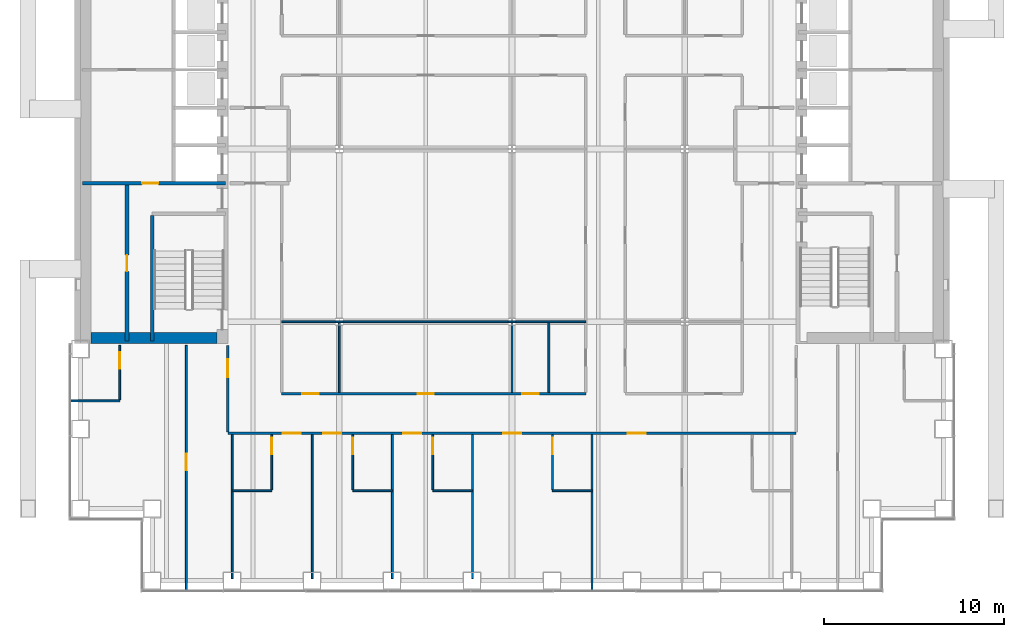
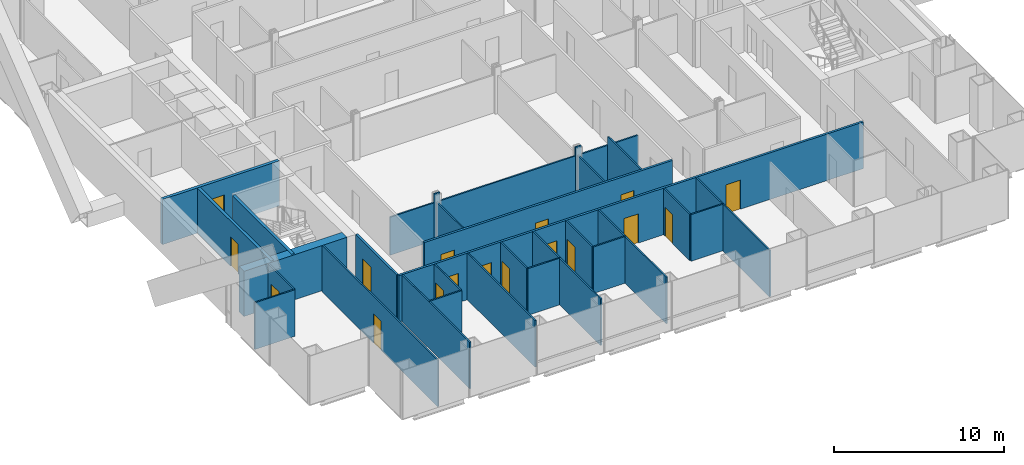
# One storey, part 16 of 23: 31 walls, 17 doors, 17 openings.
"""IFC4 building model written with IfcOpenShell, lengths in metres."""

import ifcopenshell
import ifcopenshell.guid

model = None  # the IFC model being written
_history = None  # IfcOwnerHistory: only IFC2X3 demands one
_inside = {}  # id of a spatial element -> (the spatial element, [elements in it])
_under = {}  # id of a project, library or spatial element -> (it, [spatial elements below it])
_declared = {}  # id of a project -> (the project, [libraries it declares])
_typed = {}  # id of a type object -> (the type object, [elements of that type])
_made_of = {}  # id of a material, layer set ... -> (it, [elements and type objects made of it])


def new_model(schema):
    """Start an empty IFC model of exactly this schema.

    Asked for "IFC4X3", IfcOpenShell would pick the latest addendum, in which some entities
    have other attributes; the version numbers below select the first issue.
    IFC2X3 requires an IfcOwnerHistory on every rooted entity: one is made here for all.
    """
    global model, _history
    if schema == "IFC4X3":
        model = ifcopenshell.file(schema_version=(4, 3, 0, 0))
    else:
        model = ifcopenshell.file(schema=schema)
    _inside.clear()
    _under.clear()
    _declared.clear()
    _typed.clear()
    _made_of.clear()
    _history = None
    if model.schema == "IFC2X3":
        org = make("IfcOrganization", Name="unknown")
        user = make(
            "IfcPersonAndOrganization",
            ThePerson=make("IfcPerson", FamilyName="unknown"),
            TheOrganization=org,
        )
        app = make(
            "IfcApplication",
            ApplicationDeveloper=org,
            Version="unknown",
            ApplicationFullName="unknown",
            ApplicationIdentifier="unknown",
        )
        _history = make(
            "IfcOwnerHistory",
            OwningUser=user,
            OwningApplication=app,
            ChangeAction="ADDED",
            CreationDate=0,
        )
    return model


def make(cls, **values):
    """One entity of the class cls with the attributes given. An attribute that is None is left unset."""
    return model.create_entity(
        cls, **{name: value for name, value in values.items() if value is not None}
    )


def rooted(cls, **values):
    """An entity with a GlobalId (a new one), such as an element, a storey or a relation."""
    return make(cls, GlobalId=ifcopenshell.guid.new(), OwnerHistory=_history, **values)


def si_unit(unit_type, name, prefix=None):
    """IfcSIUnit, for example si_unit("LENGTHUNIT", "METRE", prefix="MILLI")."""
    return make("IfcSIUnit", UnitType=unit_type, Prefix=prefix, Name=name)


def assignment(units):
    """IfcUnitAssignment: the units of a project."""
    return None if units is None else make("IfcUnitAssignment", Units=units)


def point(xyz):
    """IfcCartesianPoint."""
    return None if xyz is None else make("IfcCartesianPoint", Coordinates=xyz)


def direction(xyz):
    """IfcDirection."""
    return None if xyz is None else make("IfcDirection", DirectionRatios=xyz)


def frame(location, z_axis=None, x_axis=None):
    """IfcAxis2Placement3D, a coordinate frame: its origin and axes. An axis left out is left unset."""
    return make(
        "IfcAxis2Placement3D",
        Location=point(location),
        Axis=direction(z_axis),
        RefDirection=direction(x_axis),
    )


def frame_2d(location, x_axis=None):
    """IfcAxis2Placement2D, a coordinate frame in the plane: its origin and x axis."""
    return make(
        "IfcAxis2Placement2D", Location=point(location), RefDirection=direction(x_axis)
    )


def origin():
    """The frame at (0, 0, 0) with its axes left unset."""
    return frame((0.0, 0.0, 0.0))


def place(relative_to, where):
    """IfcLocalPlacement: puts the frame where relative to a parent placement (None: the world)."""
    return make(
        "IfcLocalPlacement", PlacementRelTo=relative_to, RelativePlacement=where
    )


def context(
    kind, dimensions, precision=None, world=None, true_north=None, identifier=None
):
    """IfcGeometricRepresentationContext, for example the 3D "Model" context."""
    return make(
        "IfcGeometricRepresentationContext",
        ContextIdentifier=identifier,
        ContextType=kind,
        CoordinateSpaceDimension=dimensions,
        Precision=precision,
        WorldCoordinateSystem=world,
        TrueNorth=true_north,
    )


def subcontext(parent, identifier, kind, view, scale=None):
    """IfcGeometricRepresentationSubContext, for example "Body" below "Model"."""
    return make(
        "IfcGeometricRepresentationSubContext",
        ContextIdentifier=identifier,
        ContextType=kind,
        ParentContext=parent,
        TargetScale=scale,
        TargetView=view,
    )


def project(units=None, contexts=None):
    """IfcProject with its units and contexts."""
    return rooted(
        "IfcProject",
        Name="project",
        RepresentationContexts=contexts,
        UnitsInContext=assignment(units),
    )


def spatial(cls, under=None, at=None, **own):
    """A site, building, storey or space (cls), placed at a placement, below another one or the project."""
    s = rooted(cls, ObjectPlacement=at, **own)
    if under is not None:
        _under.setdefault(under.id(), (under, []))[1].append(s)
    return s


def profile(cls, at=None, kind="AREA", **sizes):
    """A parametric profile (cls). Its sizes go by their IFC names, for example OverallWidth=200.0."""
    return make(cls, ProfileType=kind, Position=at, **sizes)


def rectangle(**sizes):
    """IfcRectangleProfileDef."""
    return profile("IfcRectangleProfileDef", **sizes)


def extrude(swept, where, along, depth):
    """IfcExtrudedAreaSolid: the profile swept, set in the frame where, extruded along a direction by depth."""
    return make(
        "IfcExtrudedAreaSolid",
        SweptArea=swept,
        Position=where,
        ExtrudedDirection=direction(along),
        Depth=depth,
    )


def shape(context_of_items, identifier, shape_type, items):
    """IfcShapeRepresentation: the items that make up one representation, for example the "Body"."""
    return make(
        "IfcShapeRepresentation",
        ContextOfItems=context_of_items,
        RepresentationIdentifier=identifier,
        RepresentationType=shape_type,
        Items=items,
    )


def material(Name=None, Category=None):
    """IfcMaterial."""
    return make("IfcMaterial", Name=Name, Category=Category)


def layer(
    of_material, thickness, ventilated=None, Name=None, Category=None, Priority=None
):
    """IfcMaterialLayer: one layer of a wall or slab, of a material (None: an air gap)."""
    return make(
        "IfcMaterialLayer",
        Material=of_material,
        LayerThickness=thickness,
        IsVentilated=ventilated,
        Name=Name,
        Category=Category,
        Priority=Priority,
    )


def layer_set(layers, Name=None):
    """IfcMaterialLayerSet."""
    return make("IfcMaterialLayerSet", MaterialLayers=layers, LayerSetName=Name)


def made_of(thing, what):
    """Note that an element or type object is made of a material, layer set ...; save() writes the relation."""
    if what is not None:
        _made_of.setdefault(what.id(), (what, []))[1].append(thing)
    return thing


def type_object(cls, material=None, **own):
    """A type object (cls), such as IfcWallType, which elements share."""
    return made_of(rooted(cls, **own), material)


def element(
    cls,
    number,
    at=None,
    inside=None,
    cuts=None,
    type_object=None,
    material=None,
    context=None,
    identifier="Body",
    shape_type=None,
    held_by="IfcProductDefinitionShape",
    body=None,
    shapes=None,
    **own,
):
    """One element of the class cls, such as IfcWall. Its Tag is "e" and its number.

    at: its placement. inside: the storey or other place that contains it. cuts: it is an
    opening in that element (IfcRelVoidsElement). A single representation is given by context,
    identifier, shape_type and body (its items); several are given by shapes. held_by: the class
    of the entity that holds the representations. save() writes the other relations.
    """
    e = rooted(cls, Tag="e%d" % number, ObjectPlacement=at, **own)
    if body is not None:
        shapes = [shape(context, identifier, shape_type, body)]
    if shapes is not None:
        e.Representation = make(held_by, Representations=shapes)
    if inside is not None:
        _inside.setdefault(inside.id(), (inside, []))[1].append(e)
    if cuts is not None:
        rooted(
            "IfcRelVoidsElement", RelatingBuildingElement=cuts, RelatedOpeningElement=e
        )
    if type_object is not None:
        _typed.setdefault(type_object.id(), (type_object, []))[1].append(e)
    return made_of(e, material)


def fill(opening, filler):
    """IfcRelFillsElement: the door or window that sits in an opening."""
    return rooted(
        "IfcRelFillsElement",
        RelatingOpeningElement=opening,
        RelatedBuildingElement=filler,
    )


def aggregate(whole, parts):
    """IfcRelAggregates: a whole, such as a stair, and the parts it consists of."""
    return rooted("IfcRelAggregates", RelatingObject=whole, RelatedObjects=parts)


def save(model, path):
    """Write the relations noted so far, then the file.

    IfcRelAggregates (storeys below a building ...), IfcRelContainedInSpatialStructure (elements
    in a storey), IfcRelDefinesByType, IfcRelAssociatesMaterial and IfcRelDeclares: one each for
    every whole, place, type object, material and project.
    """
    for whole, parts in _under.values():
        aggregate(whole, parts)
    for where, things in _inside.values():
        rooted(
            "IfcRelContainedInSpatialStructure",
            RelatedElements=things,
            RelatingStructure=where,
        )
    for kind, things in _typed.values():
        rooted("IfcRelDefinesByType", RelatedObjects=things, RelatingType=kind)
    for what, things in _made_of.values():
        rooted("IfcRelAssociatesMaterial", RelatedObjects=things, RelatingMaterial=what)
    for by, libraries in _declared.values():
        rooted("IfcRelDeclares", RelatingContext=by, RelatedDefinitions=libraries)
    model.write(path)


model = new_model("IFC4")

# Units and contexts
model_context = context("Model", 3, precision=1e-05, world=origin(), true_north=direction((0.0, 1.0)))
body_context = subcontext(model_context, "Body", "Model", "MODEL_VIEW")
ifc_project = project(units=[si_unit("LENGTHUNIT", "METRE"), si_unit("AREAUNIT", "SQUARE_METRE"), si_unit("VOLUMEUNIT", "CUBIC_METRE"), si_unit("PLANEANGLEUNIT", "RADIAN"), si_unit("MASSUNIT", "GRAM", prefix="KILO")], contexts=[model_context])

# Site, building, storey
site_placement = place(None, origin())
site = spatial("IfcSite", under=ifc_project, at=site_placement, CompositionType="ELEMENT")
building_placement = place(site_placement, origin())
building = spatial("IfcBuilding", under=site, at=building_placement, Name="Cobrizo Arcos Hotel Tower", CompositionType="ELEMENT")
storey_placement = place(building_placement, frame((0.0, 0.0, 56.5)))
storey = spatial("IfcBuildingStorey", under=building, at=storey_placement, Name="L12", CompositionType="ELEMENT", Elevation=56.5)

# Wall, openings, doors
ifc_material_1 = material(Name="Gypsum board partition")
ifc_layer_1 = layer(ifc_material_1, 0.14990234375)
ifc_layer_set_1 = layer_set([ifc_layer_1], Name="Corridor wall EI 60 150")
wall_type_1 = type_object("IfcWallType", Name="Corridor wall EI 60 150", PredefinedType="PARTITIONING", material=ifc_layer_set_1)
wall_1_placement = place(storey_placement, frame((-15.800048828125, -15.800048828125, 0.0), z_axis=(0.0, 0.0, 1.0), x_axis=(1.0, 0.0, 0.0)))
wall_1 = element("IfcWall", 1, at=wall_1_placement, inside=storey, type_object=wall_type_1, Name="Partition 006", PredefinedType="PARTITIONING", context=body_context, shape_type="SweptSolid", body=[
    extrude(rectangle(XDim=31.60009765625, YDim=0.14990234375, at=frame_2d((15.800048828125, 0.0))), origin(), (0.0, 0.0, 1.0), 3.35009765625),
])
opening_1_placement = place(wall_1_placement, frame((3.06689453125, 0.0, 0.0)))
opening_1 = element("IfcOpeningElement", 2, at=opening_1_placement, cuts=wall_1, Name="Opening GD-07", PredefinedType="OPENING", context=body_context, shape_type="SweptSolid", body=[
    extrude(rectangle(XDim=1.0, YDim=2.10009765625, at=frame_2d((0.5, 1.050048828125))), frame((0.0, 0.0869140625, 0.0), z_axis=(0.0, -1.0, 0.0), x_axis=(1.0, 0.0, 0.0)), (0.0, 0.0, 1.0), 0.173828125),
])
opening_2_placement = place(wall_1_placement, frame((5.31103515625, 0.0, 0.0)))
opening_2 = element("IfcOpeningElement", 3, at=opening_2_placement, cuts=wall_1, Name="Opening GD-08", PredefinedType="OPENING", context=body_context, shape_type="SweptSolid", body=[
    extrude(rectangle(XDim=1.0, YDim=2.10009765625, at=frame_2d((0.5, 1.050048828125))), frame((0.0, 0.0869140625, 0.0), z_axis=(0.0, -1.0, 0.0), x_axis=(1.0, 0.0, 0.0)), (0.0, 0.0, 1.0), 0.173828125),
])
opening_3_placement = place(wall_1_placement, frame((9.756103515625, 0.0, 0.0)))
opening_3 = element("IfcOpeningElement", 4, at=opening_3_placement, cuts=wall_1, Name="Opening GD-09", PredefinedType="OPENING", context=body_context, shape_type="SweptSolid", body=[
    extrude(rectangle(XDim=1.0, YDim=2.10009765625, at=frame_2d((0.5, 1.050048828125))), frame((0.0, 0.0869140625, 0.0), z_axis=(0.0, -1.0, 0.0), x_axis=(1.0, 0.0, 0.0)), (0.0, 0.0, 1.0), 0.173828125),
])
opening_4_placement = place(wall_1_placement, frame((15.31103515625, 0.0, 0.0)))
opening_4 = element("IfcOpeningElement", 5, at=opening_4_placement, cuts=wall_1, Name="Opening GD-10", PredefinedType="OPENING", context=body_context, shape_type="SweptSolid", body=[
    extrude(rectangle(XDim=1.0, YDim=2.10009765625, at=frame_2d((0.5, 1.050048828125))), frame((0.0, 0.0869140625, 0.0), z_axis=(0.0, -1.0, 0.0), x_axis=(1.0, 0.0, 0.0)), (0.0, 0.0, 1.0), 0.173828125),
])
opening_5_placement = place(wall_1_placement, frame((22.2451171875, 0.0, 0.0)))
opening_5 = element("IfcOpeningElement", 6, at=opening_5_placement, cuts=wall_1, Name="Opening GD-11", PredefinedType="OPENING", context=body_context, shape_type="SweptSolid", body=[
    extrude(rectangle(XDim=1.0, YDim=2.10009765625, at=frame_2d((0.5, 1.050048828125))), frame((0.0, 0.0869140625, 0.0), z_axis=(0.0, -1.0, 0.0), x_axis=(1.0, 0.0, 0.0)), (0.0, 0.0, 1.0), 0.173828125),
])
ifc_material_2 = material(Name="Timber door leaf", Category="wood")
door_type_1 = type_object("IfcDoorType", Name="Guest room door FD30S 1000x2100", OperationType="SINGLE_SWING_LEFT", PredefinedType="DOOR", material=ifc_material_2)
door_1_placement = place(opening_1_placement, origin())
door_1 = element("IfcDoor", 7, at=door_1_placement, inside=storey, type_object=door_type_1, Name="Door GD-07", OperationType="SINGLE_SWING_LEFT", OverallHeight=2.10009765625, OverallWidth=1.0, PredefinedType="DOOR", context=body_context, shape_type="SweptSolid", body=[
    extrude(rectangle(XDim=1.0, YDim=2.10009765625, at=frame_2d((0.5, 1.050048828125))), frame((0.0, 0.02490234375, 0.0), z_axis=(0.0, -1.0, 0.0), x_axis=(1.0, 0.0, 0.0)), (0.0, 0.0, 1.0), 0.050048828125),
])
fill(opening_1, door_1)
door_2_placement = place(opening_2_placement, origin())
door_2 = element("IfcDoor", 8, at=door_2_placement, inside=storey, type_object=door_type_1, Name="Door GD-08", OperationType="SINGLE_SWING_LEFT", OverallHeight=2.10009765625, OverallWidth=1.0, PredefinedType="DOOR", context=body_context, shape_type="SweptSolid", body=[
    extrude(rectangle(XDim=1.0, YDim=2.10009765625, at=frame_2d((0.5, 1.050048828125))), frame((0.0, 0.02490234375, 0.0), z_axis=(0.0, -1.0, 0.0), x_axis=(1.0, 0.0, 0.0)), (0.0, 0.0, 1.0), 0.050048828125),
])
fill(opening_2, door_2)
door_3_placement = place(opening_3_placement, origin())
door_3 = element("IfcDoor", 9, at=door_3_placement, inside=storey, type_object=door_type_1, Name="Door GD-09", OperationType="SINGLE_SWING_LEFT", OverallHeight=2.10009765625, OverallWidth=1.0, PredefinedType="DOOR", context=body_context, shape_type="SweptSolid", body=[
    extrude(rectangle(XDim=1.0, YDim=2.10009765625, at=frame_2d((0.5, 1.050048828125))), frame((0.0, 0.02490234375, 0.0), z_axis=(0.0, -1.0, 0.0), x_axis=(1.0, 0.0, 0.0)), (0.0, 0.0, 1.0), 0.050048828125),
])
fill(opening_3, door_3)
door_4_placement = place(opening_4_placement, origin())
door_4 = element("IfcDoor", 10, at=door_4_placement, inside=storey, type_object=door_type_1, Name="Door GD-10", OperationType="SINGLE_SWING_RIGHT", OverallHeight=2.10009765625, OverallWidth=1.0, PredefinedType="DOOR", context=body_context, shape_type="SweptSolid", body=[
    extrude(rectangle(XDim=1.0, YDim=2.10009765625, at=frame_2d((0.5, 1.050048828125))), frame((0.0, 0.02490234375, 0.0), z_axis=(0.0, -1.0, 0.0), x_axis=(1.0, 0.0, 0.0)), (0.0, 0.0, 1.0), 0.050048828125),
])
fill(opening_4, door_4)
door_5_placement = place(opening_5_placement, origin())
door_5 = element("IfcDoor", 11, at=door_5_placement, inside=storey, type_object=door_type_1, Name="Door GD-11", OperationType="SINGLE_SWING_LEFT", OverallHeight=2.10009765625, OverallWidth=1.0, PredefinedType="DOOR", context=body_context, shape_type="SweptSolid", body=[
    extrude(rectangle(XDim=1.0, YDim=2.10009765625, at=frame_2d((0.5, 1.050048828125))), frame((0.0, 0.02490234375, 0.0), z_axis=(0.0, -1.0, 0.0), x_axis=(1.0, 0.0, 0.0)), (0.0, 0.0, 1.0), 0.050048828125),
])
fill(opening_5, door_5)

wall_2_placement = place(storey_placement, frame((-12.800048828125, -13.60009765625, 0.0), z_axis=(0.0, 0.0, 1.0), x_axis=(1.0, 0.0, 0.0)))
wall_2 = element("IfcWall", 12, at=wall_2_placement, inside=storey, type_object=wall_type_1, Name="Partition 009", PredefinedType="PARTITIONING", context=body_context, shape_type="SweptSolid", body=[
    extrude(rectangle(XDim=16.900146484375, YDim=0.14990234375, at=frame_2d((8.4501953125, 0.0))), origin(), (0.0, 0.0, 1.0), 3.35009765625),
])
opening_6_placement = place(wall_2_placement, frame((1.14990234375, 0.0, 0.0)))
opening_6 = element("IfcOpeningElement", 13, at=opening_6_placement, cuts=wall_2, Name="Opening RD-16", PredefinedType="OPENING", context=body_context, shape_type="SweptSolid", body=[
    extrude(rectangle(XDim=0.89990234375, YDim=2.10009765625, at=frame_2d((0.449951171875, 1.050048828125))), frame((0.0, 0.0869140625, 0.0), z_axis=(0.0, -1.0, 0.0), x_axis=(1.0, 0.0, 0.0)), (0.0, 0.0, 1.0), 0.173828125),
])
opening_7_placement = place(wall_2_placement, frame((13.375, 0.0, 0.0)))
opening_7 = element("IfcOpeningElement", 14, at=opening_7_placement, cuts=wall_2, Name="Opening ED-16", PredefinedType="OPENING", context=body_context, shape_type="SweptSolid", body=[
    extrude(rectangle(XDim=0.89990234375, YDim=2.10009765625, at=frame_2d((0.449951171875, 1.050048828125))), frame((0.0, 0.0869140625, 0.0), z_axis=(0.0, -1.0, 0.0), x_axis=(1.0, 0.0, 0.0)), (0.0, 0.0, 1.0), 0.173828125),
])
opening_8_placement = place(wall_2_placement, frame((7.550048828125, 0.0, 0.0)))
opening_8 = element("IfcOpeningElement", 15, at=opening_8_placement, cuts=wall_2, Name="Opening RD-28", PredefinedType="OPENING", context=body_context, shape_type="SweptSolid", body=[
    extrude(rectangle(XDim=0.89990234375, YDim=2.10009765625, at=frame_2d((0.449951171875, 1.050048828125))), frame((0.0, 0.0869140625, 0.0), z_axis=(0.0, -1.0, 0.0), x_axis=(1.0, 0.0, 0.0)), (0.0, 0.0, 1.0), 0.173828125),
])
door_type_2 = type_object("IfcDoorType", Name="En-suite door 900x2100", OperationType="SINGLE_SWING_LEFT", PredefinedType="DOOR", material=ifc_material_2)
door_6_placement = place(opening_7_placement, origin())
door_6 = element("IfcDoor", 16, at=door_6_placement, inside=storey, type_object=door_type_2, Name="Door ED-16", OperationType="SINGLE_SWING_LEFT", OverallHeight=2.10009765625, OverallWidth=0.89990234375, PredefinedType="DOOR", context=body_context, shape_type="SweptSolid", body=[
    extrude(rectangle(XDim=0.89990234375, YDim=2.10009765625, at=frame_2d((0.449951171875, 1.050048828125))), frame((0.0, 0.02490234375, 0.0), z_axis=(0.0, -1.0, 0.0), x_axis=(1.0, 0.0, 0.0)), (0.0, 0.0, 1.0), 0.050048828125),
])
fill(opening_7, door_6)
door_type_3 = type_object("IfcDoorType", Name="Room door FD30 900x2100", OperationType="SINGLE_SWING_LEFT", PredefinedType="DOOR", material=ifc_material_2)
door_7_placement = place(opening_6_placement, origin())
door_7 = element("IfcDoor", 17, at=door_7_placement, inside=storey, type_object=door_type_3, Name="Door RD-16", OperationType="SINGLE_SWING_RIGHT", OverallHeight=2.10009765625, OverallWidth=0.89990234375, PredefinedType="DOOR", context=body_context, shape_type="SweptSolid", body=[
    extrude(rectangle(XDim=0.89990234375, YDim=2.10009765625, at=frame_2d((0.449951171875, 1.050048828125))), frame((0.0, 0.02490234375, 0.0), z_axis=(0.0, -1.0, 0.0), x_axis=(1.0, 0.0, 0.0)), (0.0, 0.0, 1.0), 0.050048828125),
])
fill(opening_6, door_7)
door_8_placement = place(opening_8_placement, origin())
door_8 = element("IfcDoor", 18, at=door_8_placement, inside=storey, type_object=door_type_3, Name="Door RD-28", OperationType="SINGLE_SWING_LEFT", OverallHeight=2.10009765625, OverallWidth=0.89990234375, PredefinedType="DOOR", context=body_context, shape_type="SweptSolid", body=[
    extrude(rectangle(XDim=0.89990234375, YDim=2.10009765625, at=frame_2d((0.449951171875, 1.050048828125))), frame((0.0, 0.02490234375, 0.0), z_axis=(0.0, -1.0, 0.0), x_axis=(1.0, 0.0, 0.0)), (0.0, 0.0, 1.0), 0.050048828125),
])
fill(opening_8, door_8)

# Wall, opening, door
wall_3_placement = place(storey_placement, frame((-15.800048828125, -15.72509765625, 0.0), z_axis=(0.0, 0.0, 1.0), x_axis=(0.0, 1.0, 0.0)))
wall_3 = element("IfcWall", 19, at=wall_3_placement, inside=storey, type_object=wall_type_1, Name="Partition 072", PredefinedType="PARTITIONING", context=body_context, shape_type="SweptSolid", body=[
    extrude(rectangle(XDim=4.80517578125, YDim=0.14990234375, at=frame_2d((2.402587890625, 0.0))), origin(), (0.0, 0.0, 1.0), 3.35009765625),
])
opening_9_placement = place(wall_3_placement, frame((3.02490234375, 0.0, 0.0)))
opening_9 = element("IfcOpeningElement", 20, at=opening_9_placement, cuts=wall_3, Name="Opening GD-12", PredefinedType="OPENING", context=body_context, shape_type="SweptSolid", body=[
    extrude(rectangle(XDim=1.0, YDim=2.10009765625, at=frame_2d((0.5, 1.050048828125))), frame((0.0, 0.0869140625, 0.0), z_axis=(0.0, -1.0, 0.0), x_axis=(1.0, 0.0, 0.0)), (0.0, 0.0, 1.0), 0.173828125),
])
door_9_placement = place(opening_9_placement, origin())
door_9 = element("IfcDoor", 21, at=door_9_placement, inside=storey, type_object=door_type_1, Name="Door GD-12", OperationType="SINGLE_SWING_LEFT", OverallHeight=2.10009765625, OverallWidth=1.0, PredefinedType="DOOR", context=body_context, shape_type="SweptSolid", body=[
    extrude(rectangle(XDim=1.0, YDim=2.10009765625, at=frame_2d((0.5, 1.050048828125))), frame((0.0, 0.02490234375, 0.0), z_axis=(0.0, -1.0, 0.0), x_axis=(1.0, 0.0, 0.0)), (0.0, 0.0, 1.0), 0.050048828125),
])
fill(opening_9, door_9)

# Walls
ifc_layer_2 = layer(ifc_material_1, 0.10009765625)
ifc_layer_set_2 = layer_set([ifc_layer_2], Name="Partition EI 30 100")
wall_type_2 = type_object("IfcWallType", Name="Partition EI 30 100", PredefinedType="PARTITIONING", material=ifc_layer_set_2)
wall_4_placement = place(storey_placement, frame((-15.550048828125, -19.0, 0.0), z_axis=(0.0, 0.0, 1.0), x_axis=(1.0, 0.0, 0.0)))
element("IfcWall", 22, at=wall_4_placement, inside=storey, type_object=wall_type_2, Name="Partition 001", PredefinedType="PARTITIONING", context=body_context, shape_type="SweptSolid", body=[
    extrude(rectangle(XDim=2.199951171875, YDim=0.10009765625, at=frame_2d((1.10009765625, 0.0))), origin(), (0.0, 0.0, 1.0), 3.35009765625),
])
wall_5_placement = place(storey_placement, frame((-8.85009765625, -19.0, 0.0), z_axis=(0.0, 0.0, 1.0), x_axis=(1.0, 0.0, 0.0)))
element("IfcWall", 23, at=wall_5_placement, inside=storey, type_object=wall_type_2, Name="Partition 002", PredefinedType="PARTITIONING", context=body_context, shape_type="SweptSolid", body=[
    extrude(rectangle(XDim=2.2001953125, YDim=0.10009765625, at=frame_2d((1.10009765625, 0.0))), origin(), (0.0, 0.0, 1.0), 3.35009765625),
])
for number, where, z_axis, x_axis, name in (
    (24, (-4.39990234375, -19.0, 0.0), (0.0, 0.0, 1.0), (1.0, 0.0, 0.0), "Partition 003"),
    (25, (2.25, -19.0, 0.0), (0.0, 0.0, 1.0), (1.0, 0.0, 0.0), "Partition 004"),
):
    element("IfcWall", number, at=place(storey_placement, frame(where, z_axis=z_axis, x_axis=x_axis)), inside=storey, type_object=wall_type_2, Name=name, PredefinedType="PARTITIONING", context=body_context, shape_type="SweptSolid", body=[
        extrude(rectangle(XDim=2.199951171875, YDim=0.10009765625, at=frame_2d((1.10009765625, 0.0))), origin(), (0.0, 0.0, 1.0), 3.35009765625),
    ])
wall_6_placement = place(storey_placement, frame((-24.530029296875, -14.0, 0.0), z_axis=(0.0, 0.0, 1.0), x_axis=(1.0, 0.0, 0.0)))
element("IfcWall", 26, at=wall_6_placement, inside=storey, type_object=wall_type_2, Name="Partition 007", PredefinedType="PARTITIONING", context=body_context, shape_type="SweptSolid", body=[
    extrude(rectangle(XDim=2.72998046875, YDim=0.10009765625, at=frame_2d((1.364990234375, 0.0))), origin(), (0.0, 0.0, 1.0), 3.35009765625),
])
wall_7_placement = place(storey_placement, frame((-12.800048828125, -9.60009765625, 0.0), z_axis=(0.0, 0.0, 1.0), x_axis=(1.0, 0.0, 0.0)))
element("IfcWall", 27, at=wall_7_placement, inside=storey, type_object=wall_type_2, Name="Partition 011", PredefinedType="PARTITIONING", context=body_context, shape_type="SweptSolid", body=[
    extrude(rectangle(XDim=2.99609375, YDim=0.10009765625, at=frame_2d((1.498046875, 0.0))), origin(), (0.0, 0.0, 1.0), 2.72802734375),
])
wall_8_placement = place(storey_placement, frame((-9.803955078125, -9.60009765625, 0.0), z_axis=(0.0, 0.0, 1.0), x_axis=(1.0, 0.0, 0.0)))
element("IfcWall", 28, at=wall_8_placement, inside=storey, type_object=wall_type_2, Name="Partition 012", PredefinedType="PARTITIONING", context=body_context, shape_type="SweptSolid", body=[
    extrude(rectangle(XDim=0.407958984375, YDim=0.10009765625, at=frame_2d((0.2041015625, 0.0))), origin(), (0.0, 0.0, 1.0), 3.35009765625),
])
wall_9_placement = place(storey_placement, frame((-9.39599609375, -9.60009765625, 0.0), z_axis=(0.0, 0.0, 1.0), x_axis=(1.0, 0.0, 0.0)))
element("IfcWall", 29, at=wall_9_placement, inside=storey, type_object=wall_type_2, Name="Partition 013", PredefinedType="PARTITIONING", context=body_context, shape_type="SweptSolid", body=[
    extrude(rectangle(XDim=9.19189453125, YDim=0.10009765625, at=frame_2d((4.595947265625, 0.0))), origin(), (0.0, 0.0, 1.0), 2.72802734375),
])
wall_10_placement = place(storey_placement, frame((-0.2041015625, -9.60009765625, 0.0), z_axis=(0.0, 0.0, 1.0), x_axis=(1.0, 0.0, 0.0)))
element("IfcWall", 30, at=wall_10_placement, inside=storey, type_object=wall_type_2, Name="Partition 014", PredefinedType="PARTITIONING", context=body_context, shape_type="SweptSolid", body=[
    extrude(rectangle(XDim=0.408203125, YDim=0.10009765625, at=frame_2d((0.2041015625, 0.0))), origin(), (0.0, 0.0, 1.0), 3.35009765625),
])
wall_11_placement = place(storey_placement, frame((0.2041015625, -9.60009765625, 0.0), z_axis=(0.0, 0.0, 1.0), x_axis=(1.0, 0.0, 0.0)))
element("IfcWall", 31, at=wall_11_placement, inside=storey, type_object=wall_type_2, Name="Partition 015", PredefinedType="PARTITIONING", context=body_context, shape_type="SweptSolid", body=[
    extrude(rectangle(XDim=3.89599609375, YDim=0.10009765625, at=frame_2d((1.947998046875, 0.0))), origin(), (0.0, 0.0, 1.0), 2.72802734375),
])

# Wall, opening, door
wall_12_placement = place(storey_placement, frame((-21.800048828125, -13.949951171875, 0.0), z_axis=(0.0, 0.0, 1.0), x_axis=(0.0, 1.0, 0.0)))
wall_12 = element("IfcWall", 32, at=wall_12_placement, inside=storey, type_object=wall_type_2, Name="Partition 064", PredefinedType="PARTITIONING", context=body_context, shape_type="SweptSolid", body=[
    extrude(rectangle(XDim=3.030029296875, YDim=0.10009765625, at=frame_2d((1.51513671875, 0.0))), origin(), (0.0, 0.0, 1.0), 3.35009765625),
])
opening_10_placement = place(wall_12_placement, frame((1.739990234375, 0.0, 0.0)))
opening_10 = element("IfcOpeningElement", 33, at=opening_10_placement, cuts=wall_12, Name="Opening ED-12", PredefinedType="OPENING", context=body_context, shape_type="SweptSolid", body=[
    extrude(rectangle(XDim=0.89990234375, YDim=2.10009765625, at=frame_2d((0.449951171875, 1.050048828125))), frame((0.0, 0.06201171875, 0.0), z_axis=(0.0, -1.0, 0.0), x_axis=(1.0, 0.0, 0.0)), (0.0, 0.0, 1.0), 0.1240234375),
])
door_10_placement = place(opening_10_placement, origin())
door_10 = element("IfcDoor", 34, at=door_10_placement, inside=storey, type_object=door_type_2, Name="Door ED-12", OperationType="SINGLE_SWING_LEFT", OverallHeight=2.10009765625, OverallWidth=0.89990234375, PredefinedType="DOOR", context=body_context, shape_type="SweptSolid", body=[
    extrude(rectangle(XDim=0.89990234375, YDim=2.10009765625, at=frame_2d((0.449951171875, 1.050048828125))), frame((0.0, 0.02490234375, 0.0), z_axis=(0.0, -1.0, 0.0), x_axis=(1.0, 0.0, 0.0)), (0.0, 0.0, 1.0), 0.050048828125),
])
fill(opening_10, door_10)

wall_13_placement = place(storey_placement, frame((-18.10009765625, -24.530029296875, 0.0), z_axis=(0.0, 0.0, 1.0), x_axis=(0.0, 1.0, 0.0)))
wall_13 = element("IfcWall", 35, at=wall_13_placement, inside=storey, type_object=wall_type_2, Name="Partition 071", PredefinedType="PARTITIONING", context=body_context, shape_type="SweptSolid", body=[
    extrude(rectangle(XDim=13.610107421875, YDim=0.10009765625, at=frame_2d((6.80517578125, 0.0))), origin(), (0.0, 0.0, 1.0), 3.35009765625),
])
opening_11_placement = place(wall_13_placement, frame((6.679931640625, 0.0, 0.0)))
opening_11 = element("IfcOpeningElement", 36, at=opening_11_placement, cuts=wall_13, Name="Opening RD-08", PredefinedType="OPENING", context=body_context, shape_type="SweptSolid", body=[
    extrude(rectangle(XDim=0.89990234375, YDim=2.10009765625, at=frame_2d((0.449951171875, 1.050048828125))), frame((0.0, 0.06201171875, 0.0), z_axis=(0.0, -1.0, 0.0), x_axis=(1.0, 0.0, 0.0)), (0.0, 0.0, 1.0), 0.1240234375),
])
door_11_placement = place(opening_11_placement, origin())
door_11 = element("IfcDoor", 37, at=door_11_placement, inside=storey, type_object=door_type_3, Name="Door RD-08", OperationType="SINGLE_SWING_RIGHT", OverallHeight=2.10009765625, OverallWidth=0.89990234375, PredefinedType="DOOR", context=body_context, shape_type="SweptSolid", body=[
    extrude(rectangle(XDim=0.89990234375, YDim=2.10009765625, at=frame_2d((0.449951171875, 1.050048828125))), frame((0.0, 0.02490234375, 0.0), z_axis=(0.0, -1.0, 0.0), x_axis=(1.0, 0.0, 0.0)), (0.0, 0.0, 1.0), 0.050048828125),
])
fill(opening_11, door_11)

# Wall
wall_14_placement = place(storey_placement, frame((-15.550048828125, -23.8798828125, 0.0), z_axis=(0.0, 0.0, 1.0), x_axis=(0.0, 1.0, 0.0)))
element("IfcWall", 38, at=wall_14_placement, inside=storey, type_object=wall_type_2, Name="Partition 074", PredefinedType="PARTITIONING", context=body_context, shape_type="SweptSolid", body=[
    extrude(rectangle(XDim=8.0048828125, YDim=0.10009765625, at=frame_2d((4.00244140625, 0.0))), origin(), (0.0, 0.0, 1.0), 3.35009765625),
])

# Wall, opening, door
wall_15_placement = place(storey_placement, frame((-13.35009765625, -18.949951171875, 0.0), z_axis=(0.0, 0.0, 1.0), x_axis=(0.0, 1.0, 0.0)))
wall_15 = element("IfcWall", 39, at=wall_15_placement, inside=storey, type_object=wall_type_2, Name="Partition 076", PredefinedType="PARTITIONING", context=body_context, shape_type="SweptSolid", body=[
    extrude(rectangle(XDim=3.074951171875, YDim=0.10009765625, at=frame_2d((1.53759765625, 0.0))), origin(), (0.0, 0.0, 1.0), 3.35009765625),
])
opening_12_placement = place(wall_15_placement, frame((1.99609375, 0.0, 0.0)))
opening_12 = element("IfcOpeningElement", 40, at=opening_12_placement, cuts=wall_15, Name="Opening ED-07", PredefinedType="OPENING", context=body_context, shape_type="SweptSolid", body=[
    extrude(rectangle(XDim=0.89990234375, YDim=2.10009765625, at=frame_2d((0.449951171875, 1.050048828125))), frame((0.0, 0.06201171875, 0.0), z_axis=(0.0, -1.0, 0.0), x_axis=(1.0, 0.0, 0.0)), (0.0, 0.0, 1.0), 0.1240234375),
])
door_12_placement = place(opening_12_placement, origin())
door_12 = element("IfcDoor", 41, at=door_12_placement, inside=storey, type_object=door_type_2, Name="Door ED-07", OperationType="SINGLE_SWING_LEFT", OverallHeight=2.10009765625, OverallWidth=0.89990234375, PredefinedType="DOOR", context=body_context, shape_type="SweptSolid", body=[
    extrude(rectangle(XDim=0.89990234375, YDim=2.10009765625, at=frame_2d((0.449951171875, 1.050048828125))), frame((0.0, 0.02490234375, 0.0), z_axis=(0.0, -1.0, 0.0), x_axis=(1.0, 0.0, 0.0)), (0.0, 0.0, 1.0), 0.050048828125),
])
fill(opening_12, door_12)

# Walls
wall_16_placement = place(storey_placement, frame((-11.10009765625, -23.8798828125, 0.0), z_axis=(0.0, 0.0, 1.0), x_axis=(0.0, 1.0, 0.0)))
element("IfcWall", 42, at=wall_16_placement, inside=storey, type_object=wall_type_2, Name="Partition 083", PredefinedType="PARTITIONING", context=body_context, shape_type="SweptSolid", body=[
    extrude(rectangle(XDim=8.0048828125, YDim=0.10009765625, at=frame_2d((4.00244140625, 0.0))), origin(), (0.0, 0.0, 1.0), 3.35009765625),
])
wall_17_placement = place(storey_placement, frame((-9.60009765625, -13.52490234375, 0.0), z_axis=(0.0, 0.0, 1.0), x_axis=(0.0, 1.0, 0.0)))
element("IfcWall", 43, at=wall_17_placement, inside=storey, type_object=wall_type_2, Name="Partition 084", PredefinedType="PARTITIONING", context=body_context, shape_type="SweptSolid", body=[
    extrude(rectangle(XDim=3.875, YDim=0.10009765625, at=frame_2d((1.9375, 0.0))), origin(), (0.0, 0.0, 1.0), 2.72802734375),
])

# Wall, opening, door
wall_18_placement = place(storey_placement, frame((-8.85009765625, -18.949951171875, 0.0), z_axis=(0.0, 0.0, 1.0), x_axis=(0.0, 1.0, 0.0)))
wall_18 = element("IfcWall", 44, at=wall_18_placement, inside=storey, type_object=wall_type_2, Name="Partition 089", PredefinedType="PARTITIONING", context=body_context, shape_type="SweptSolid", body=[
    extrude(rectangle(XDim=3.074951171875, YDim=0.10009765625, at=frame_2d((1.53759765625, 0.0))), origin(), (0.0, 0.0, 1.0), 3.35009765625),
])
opening_13_placement = place(wall_18_placement, frame((1.99609375, 0.0, 0.0)))
opening_13 = element("IfcOpeningElement", 45, at=opening_13_placement, cuts=wall_18, Name="Opening ED-08", PredefinedType="OPENING", context=body_context, shape_type="SweptSolid", body=[
    extrude(rectangle(XDim=0.89990234375, YDim=2.10009765625, at=frame_2d((0.449951171875, 1.050048828125))), frame((0.0, 0.06201171875, 0.0), z_axis=(0.0, -1.0, 0.0), x_axis=(1.0, 0.0, 0.0)), (0.0, 0.0, 1.0), 0.1240234375),
])
door_13_placement = place(opening_13_placement, origin())
door_13 = element("IfcDoor", 46, at=door_13_placement, inside=storey, type_object=door_type_2, Name="Door ED-08", OperationType="SINGLE_SWING_LEFT", OverallHeight=2.10009765625, OverallWidth=0.89990234375, PredefinedType="DOOR", context=body_context, shape_type="SweptSolid", body=[
    extrude(rectangle(XDim=0.89990234375, YDim=2.10009765625, at=frame_2d((0.449951171875, 1.050048828125))), frame((0.0, 0.02490234375, 0.0), z_axis=(0.0, -1.0, 0.0), x_axis=(1.0, 0.0, 0.0)), (0.0, 0.0, 1.0), 0.050048828125),
])
fill(opening_13, door_13)

# Wall
wall_19_placement = place(storey_placement, frame((-6.64990234375, -23.8798828125, 0.0), z_axis=(0.0, 0.0, 1.0), x_axis=(0.0, 1.0, 0.0)))
element("IfcWall", 47, at=wall_19_placement, inside=storey, type_object=wall_type_2, Name="Partition 091", PredefinedType="PARTITIONING", context=body_context, shape_type="SweptSolid", body=[
    extrude(rectangle(XDim=8.0048828125, YDim=0.10009765625, at=frame_2d((4.00244140625, 0.0))), origin(), (0.0, 0.0, 1.0), 3.35009765625),
])

# Wall, opening, door
wall_20_placement = place(storey_placement, frame((-4.39990234375, -18.949951171875, 0.0), z_axis=(0.0, 0.0, 1.0), x_axis=(0.0, 1.0, 0.0)))
wall_20 = element("IfcWall", 48, at=wall_20_placement, inside=storey, type_object=wall_type_2, Name="Partition 093", PredefinedType="PARTITIONING", context=body_context, shape_type="SweptSolid", body=[
    extrude(rectangle(XDim=3.074951171875, YDim=0.10009765625, at=frame_2d((1.53759765625, 0.0))), origin(), (0.0, 0.0, 1.0), 3.35009765625),
])
opening_14_placement = place(wall_20_placement, frame((1.99609375, 0.0, 0.0)))
opening_14 = element("IfcOpeningElement", 49, at=opening_14_placement, cuts=wall_20, Name="Opening ED-09", PredefinedType="OPENING", context=body_context, shape_type="SweptSolid", body=[
    extrude(rectangle(XDim=0.89990234375, YDim=2.10009765625, at=frame_2d((0.449951171875, 1.050048828125))), frame((0.0, 0.06201171875, 0.0), z_axis=(0.0, -1.0, 0.0), x_axis=(1.0, 0.0, 0.0)), (0.0, 0.0, 1.0), 0.1240234375),
])
door_14_placement = place(opening_14_placement, origin())
door_14 = element("IfcDoor", 50, at=door_14_placement, inside=storey, type_object=door_type_2, Name="Door ED-09", OperationType="SINGLE_SWING_RIGHT", OverallHeight=2.10009765625, OverallWidth=0.89990234375, PredefinedType="DOOR", context=body_context, shape_type="SweptSolid", body=[
    extrude(rectangle(XDim=0.89990234375, YDim=2.10009765625, at=frame_2d((0.449951171875, 1.050048828125))), frame((0.0, 0.02490234375, 0.0), z_axis=(0.0, -1.0, 0.0), x_axis=(1.0, 0.0, 0.0)), (0.0, 0.0, 1.0), 0.050048828125),
])
fill(opening_14, door_14)

# Walls
wall_21_placement = place(storey_placement, frame((-2.199951171875, -23.8798828125, 0.0), z_axis=(0.0, 0.0, 1.0), x_axis=(0.0, 1.0, 0.0)))
element("IfcWall", 51, at=wall_21_placement, inside=storey, type_object=wall_type_2, Name="Partition 095", PredefinedType="PARTITIONING", context=body_context, shape_type="SweptSolid", body=[
    extrude(rectangle(XDim=8.0048828125, YDim=0.10009765625, at=frame_2d((4.00244140625, 0.0))), origin(), (0.0, 0.0, 1.0), 3.35009765625),
])
wall_22_placement = place(storey_placement, frame((0.0, -13.52490234375, 0.0), z_axis=(0.0, 0.0, 1.0), x_axis=(0.0, 1.0, 0.0)))
element("IfcWall", 52, at=wall_22_placement, inside=storey, type_object=wall_type_2, Name="Partition 096", PredefinedType="PARTITIONING", context=body_context, shape_type="SweptSolid", body=[
    extrude(rectangle(XDim=3.875, YDim=0.10009765625, at=frame_2d((1.9375, 0.0))), origin(), (0.0, 0.0, 1.0), 2.72802734375),
])
wall_23_placement = place(storey_placement, frame((2.050048828125, -13.52490234375, 0.0), z_axis=(0.0, 0.0, 1.0), x_axis=(0.0, 1.0, 0.0)))
element("IfcWall", 53, at=wall_23_placement, inside=storey, type_object=wall_type_2, Name="Partition 102", PredefinedType="PARTITIONING", context=body_context, shape_type="SweptSolid", body=[
    extrude(rectangle(XDim=3.875, YDim=0.10009765625, at=frame_2d((1.9375, 0.0))), origin(), (0.0, 0.0, 1.0), 3.35009765625),
])

# Wall, opening, door
wall_24_placement = place(storey_placement, frame((2.25, -18.949951171875, 0.0), z_axis=(0.0, 0.0, 1.0), x_axis=(0.0, 1.0, 0.0)))
wall_24 = element("IfcWall", 54, at=wall_24_placement, inside=storey, type_object=wall_type_2, Name="Partition 103", PredefinedType="PARTITIONING", context=body_context, shape_type="SweptSolid", body=[
    extrude(rectangle(XDim=3.074951171875, YDim=0.10009765625, at=frame_2d((1.53759765625, 0.0))), origin(), (0.0, 0.0, 1.0), 3.35009765625),
])
opening_15_placement = place(wall_24_placement, frame((1.99609375, 0.0, 0.0)))
opening_15 = element("IfcOpeningElement", 55, at=opening_15_placement, cuts=wall_24, Name="Opening ED-10", PredefinedType="OPENING", context=body_context, shape_type="SweptSolid", body=[
    extrude(rectangle(XDim=0.89990234375, YDim=2.10009765625, at=frame_2d((0.449951171875, 1.050048828125))), frame((0.0, 0.06201171875, 0.0), z_axis=(0.0, -1.0, 0.0), x_axis=(1.0, 0.0, 0.0)), (0.0, 0.0, 1.0), 0.1240234375),
])
door_15_placement = place(opening_15_placement, origin())
door_15 = element("IfcDoor", 56, at=door_15_placement, inside=storey, type_object=door_type_2, Name="Door ED-10", OperationType="SINGLE_SWING_LEFT", OverallHeight=2.10009765625, OverallWidth=0.89990234375, PredefinedType="DOOR", context=body_context, shape_type="SweptSolid", body=[
    extrude(rectangle(XDim=0.89990234375, YDim=2.10009765625, at=frame_2d((0.449951171875, 1.050048828125))), frame((0.0, 0.02490234375, 0.0), z_axis=(0.0, -1.0, 0.0), x_axis=(1.0, 0.0, 0.0)), (0.0, 0.0, 1.0), 0.050048828125),
])
fill(opening_15, door_15)

# Walls
wall_25_placement = place(storey_placement, frame((4.449951171875, -24.530029296875, 0.0), z_axis=(0.0, 0.0, 1.0), x_axis=(0.0, 1.0, 0.0)))
element("IfcWall", 57, at=wall_25_placement, inside=storey, type_object=wall_type_2, Name="Partition 106", PredefinedType="PARTITIONING", context=body_context, shape_type="SweptSolid", body=[
    extrude(rectangle(XDim=8.655029296875, YDim=0.10009765625, at=frame_2d((4.32763671875, 0.0))), origin(), (0.0, 0.0, 1.0), 3.35009765625),
])
ifc_material_3 = material(Name="Concrete f'c 60 MPa", Category="concrete")
ifc_layer_3 = layer(ifc_material_3, 0.60009765625)
ifc_layer_set_3 = layer_set([ifc_layer_3], Name="RC core wall 600 f'c 60")
wall_type_3 = type_object("IfcWallType", Name="RC core wall 600 f'c 60", PredefinedType="SHEAR", material=ifc_layer_set_3)
wall_26_placement = place(storey_placement, frame((-23.39990234375, -10.5, 0.0), z_axis=(0.0, 0.0, 1.0), x_axis=(1.0, 0.0, 0.0)))
element("IfcWall", 58, at=wall_26_placement, inside=storey, type_object=wall_type_3, Name="Core wall CW1, west core, south end, L12", PredefinedType="SHEAR", context=body_context, shape_type="SweptSolid", body=[
    extrude(rectangle(XDim=7.0, YDim=0.60009765625, at=frame_2d((3.5, 0.0))), origin(), (0.0, 0.0, 1.0), 3.25),
])

# Wall, opening, door
ifc_layer_4 = layer(ifc_material_1, 0.199951171875)
ifc_layer_set_4 = layer_set([ifc_layer_4], Name="Shaft wall EI 120 200")
wall_type_4 = type_object("IfcWallType", Name="Shaft wall EI 120 200", PredefinedType="PARTITIONING", material=ifc_layer_set_4)
wall_27_placement = place(storey_placement, frame((-23.8798828125, -1.89990234375, 0.0), z_axis=(0.0, 0.0, 1.0), x_axis=(1.0, 0.0, 0.0)))
wall_27 = element("IfcWall", 59, at=wall_27_placement, inside=storey, type_object=wall_type_4, Name="Partition 021", PredefinedType="PARTITIONING", context=body_context, shape_type="SweptSolid", body=[
    extrude(rectangle(XDim=7.9599609375, YDim=0.199951171875, at=frame_2d((3.97998046875, 0.0))), origin(), (0.0, 0.0, 1.0), 3.25),
])
opening_16_placement = place(wall_27_placement, frame((3.320068359375, 0.0, 0.0)))
opening_16 = element("IfcOpeningElement", 60, at=opening_16_placement, cuts=wall_27, Name="Opening RD-02", PredefinedType="OPENING", context=body_context, shape_type="SweptSolid", body=[
    extrude(rectangle(XDim=0.89990234375, YDim=2.10009765625, at=frame_2d((0.449951171875, 1.050048828125))), frame((0.0, 0.112060546875, 0.0), z_axis=(0.0, -1.0, 0.0), x_axis=(1.0, 0.0, 0.0)), (0.0, 0.0, 1.0), 0.223876953125),
])
door_16_placement = place(opening_16_placement, origin())
door_16 = element("IfcDoor", 61, at=door_16_placement, inside=storey, type_object=door_type_3, Name="Door RD-02", OperationType="SINGLE_SWING_RIGHT", OverallHeight=2.10009765625, OverallWidth=0.89990234375, PredefinedType="DOOR", context=body_context, shape_type="SweptSolid", body=[
    extrude(rectangle(XDim=0.89990234375, YDim=2.10009765625, at=frame_2d((0.449951171875, 1.050048828125))), frame((0.0, 0.02490234375, 0.0), z_axis=(0.0, -1.0, 0.0), x_axis=(1.0, 0.0, 0.0)), (0.0, 0.0, 1.0), 0.050048828125),
])
fill(opening_16, door_16)

wall_28_placement = place(storey_placement, frame((-21.39990234375, -10.679931640625, 0.0), z_axis=(0.0, 0.0, 1.0), x_axis=(0.0, 1.0, 0.0)))
wall_28 = element("IfcWall", 62, at=wall_28_placement, inside=storey, type_object=wall_type_4, Name="Partition 066", PredefinedType="PARTITIONING", context=body_context, shape_type="SweptSolid", body=[
    extrude(rectangle(XDim=8.679931640625, YDim=0.199951171875, at=frame_2d((4.33984375, 0.0))), origin(), (0.0, 0.0, 1.0), 3.25),
])
opening_17_placement = place(wall_28_placement, frame((3.8798828125, 0.0, 0.0)))
opening_17 = element("IfcOpeningElement", 63, at=opening_17_placement, cuts=wall_28, Name="Opening RD-01", PredefinedType="OPENING", context=body_context, shape_type="SweptSolid", body=[
    extrude(rectangle(XDim=0.89990234375, YDim=2.10009765625, at=frame_2d((0.449951171875, 1.050048828125))), frame((0.0, 0.112060546875, 0.0), z_axis=(0.0, -1.0, 0.0), x_axis=(1.0, 0.0, 0.0)), (0.0, 0.0, 1.0), 0.223876953125),
])
door_17_placement = place(opening_17_placement, origin())
door_17 = element("IfcDoor", 64, at=door_17_placement, inside=storey, type_object=door_type_3, Name="Door RD-01", OperationType="SINGLE_SWING_LEFT", OverallHeight=2.10009765625, OverallWidth=0.89990234375, PredefinedType="DOOR", context=body_context, shape_type="SweptSolid", body=[
    extrude(rectangle(XDim=0.89990234375, YDim=2.10009765625, at=frame_2d((0.449951171875, 1.050048828125))), frame((0.0, 0.02490234375, 0.0), z_axis=(0.0, -1.0, 0.0), x_axis=(1.0, 0.0, 0.0)), (0.0, 0.0, 1.0), 0.050048828125),
])
fill(opening_17, door_17)

# Wall
ifc_material_4 = material(Name="Concrete f'c 40 MPa", Category="concrete")
ifc_layer_5 = layer(ifc_material_4, 0.199951171875)
ifc_layer_set_5 = layer_set([ifc_layer_5], Name="Stair shaft wall 200")
wall_type_5 = type_object("IfcWallType", Name="Stair shaft wall 200", PredefinedType="SHEAR", material=ifc_layer_set_5)
wall_29_placement = place(storey_placement, frame((-20.0, -10.679931640625, 0.0), z_axis=(0.0, 0.0, 1.0), x_axis=(0.0, 1.0, 0.0)))
element("IfcWall", 65, at=wall_29_placement, inside=storey, type_object=wall_type_5, Name="Stair shaft wall W", PredefinedType="SHEAR", context=body_context, shape_type="SweptSolid", body=[
    extrude(rectangle(XDim=6.97998046875, YDim=0.199951171875, at=frame_2d((3.489990234375, 0.0))), origin(), (0.0, 0.0, 1.0), 3.25),
])

save(model, "model.ifc")
